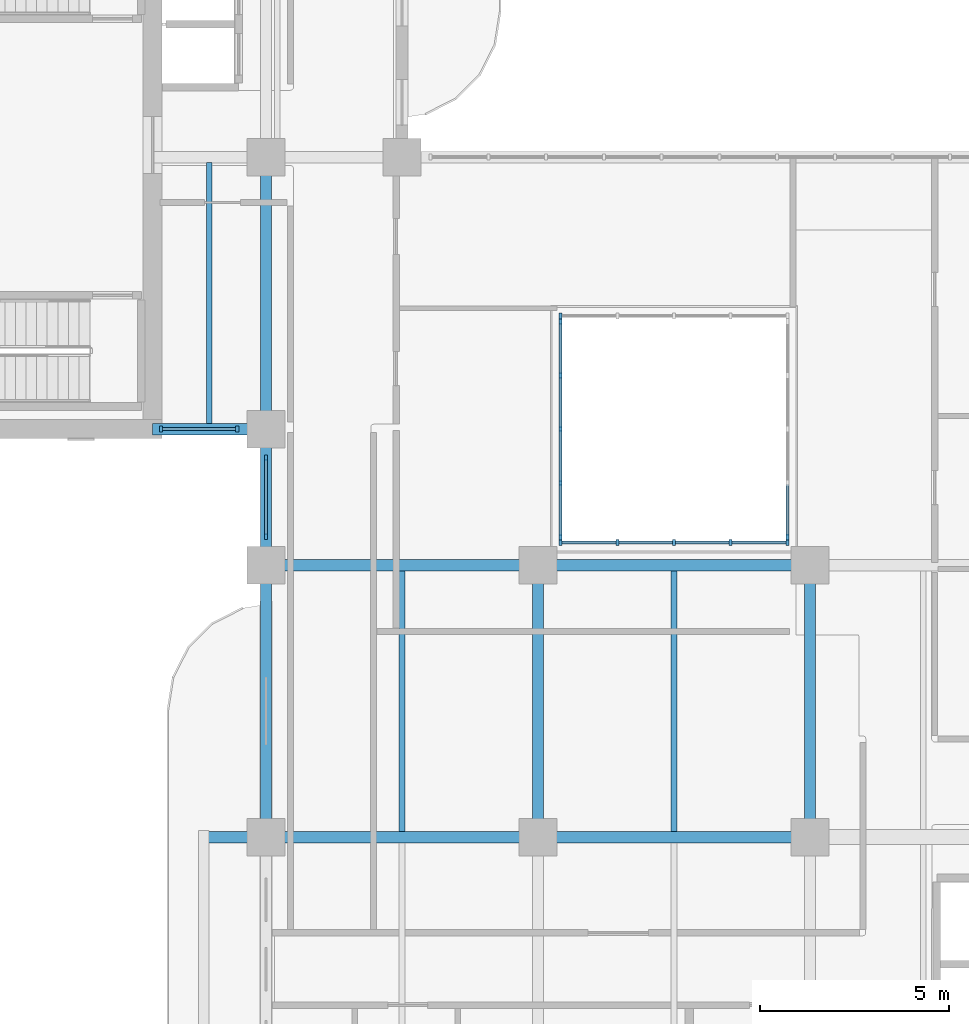
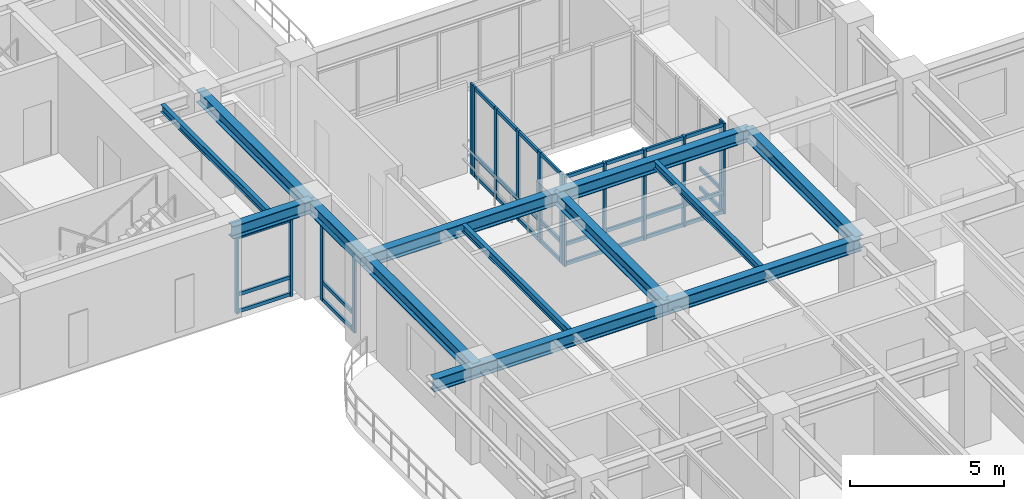
# One storey, part 2 of 20: 48 members, 13 beams, 6 elements without a shape of their own.
"""IFC4 building model written with IfcOpenShell, lengths in metres."""

from ifc_helpers import new_model, si_unit, derived_unit, direction, frame, origin, origin_2d, place, context, subcontext, project, spatial, rectangle, i_section, extrude, source, transform, mapped, material, layer, layer_set, material_profile, profile_set, type_object, type_shapes, element, aggregate, save


model = new_model("IFC4")

# Units and contexts
model_context = context("Model", 3, precision=1e-05, world=origin(), true_north=direction((0.0, 1.0)))
body_context = subcontext(model_context, "Body", "Model", "MODEL_VIEW")
ifc_project = project(units=[si_unit("LENGTHUNIT", "METRE"), si_unit("AREAUNIT", "SQUARE_METRE"), si_unit("VOLUMEUNIT", "CUBIC_METRE"), si_unit("PLANEANGLEUNIT", "RADIAN"), si_unit("MASSUNIT", "GRAM", prefix="KILO"), si_unit("THERMODYNAMICTEMPERATUREUNIT", "KELVIN"), si_unit("POWERUNIT", "WATT"), derived_unit("THERMALTRANSMITTANCEUNIT", [(si_unit("POWERUNIT", "WATT"), 1), (si_unit("AREAUNIT", "SQUARE_METRE"), -1), (si_unit("THERMODYNAMICTEMPERATUREUNIT", "KELVIN"), -1)])], contexts=[model_context])

# Site, building, storey
site_placement = place(None, origin())
site = spatial("IfcSite", under=ifc_project, at=site_placement, CompositionType="ELEMENT")
building_placement = place(site_placement, origin())
building = spatial("IfcBuilding", under=site, at=building_placement, Name="Zahravan Archway Hotel and Residences", CompositionType="ELEMENT")
storey_placement = place(building_placement, frame((0.0, 0.0, 154.14990234375)))
storey = spatial("IfcBuildingStorey", under=building, at=storey_placement, Name="L38", CompositionType="ELEMENT", Elevation=154.14990234375)

# Beams
ifc_material_1 = material(Name="Structural Steel S355JR", Category="steel")
ifc_material_profile_1 = material_profile(ifc_material_1, i_section(OverallWidth=0.300048828125, OverallDepth=0.5, WebThickness=0.014404296875, FlangeThickness=0.028076171875, FilletRadius=0.027099609375, at=origin_2d()), Name="HEB 500", Category="steel")
ifc_profile_set_1 = profile_set([ifc_material_profile_1], Name="Structural Steel S355JR")
beam_type_1 = type_object("IfcBeamType", Name="BM-PRI-HEB500", PredefinedType="BEAM", material=ifc_profile_set_1)
shared_shape_1 = source(origin(), body_context, "Body", "SweptSolid", [
    extrude(i_section(OverallWidth=0.300048828125, OverallDepth=0.5, WebThickness=0.014404296875, FlangeThickness=0.028076171875, FilletRadius=0.027099609375, at=origin_2d()), origin(), (0.0, 0.0, 1.0), 7.2001953125),
])
type_shapes(beam_type_1, [shared_shape_1])
for number, where, z_axis, x_axis, name in (
    (1, (14.39990234375, 21.60009765625, 3.35009765625), (1.0, 0.0, 0.0), (0.0, 1.0, 0.0), "L38 Primary Girder EW-11"),
    (2, (14.39990234375, 14.39990234375, 3.35009765625), (0.0, 1.0, 0.0), (-1.0, 0.0, 0.0), "L38 Primary Girder NS-30"),
    (3, (21.60009765625, 14.39990234375, 3.35009765625), (0.0, 1.0, 0.0), (-1.0, 0.0, 0.0), "L38 Primary Girder NS-37"),
    (4, (28.800048828125, 14.39990234375, 3.35009765625), (0.0, 1.0, 0.0), (-1.0, 0.0, 0.0), "L38 Primary Girder NS-40"),
):
    element("IfcBeam", number, at=place(storey_placement, frame(where, z_axis=z_axis, x_axis=x_axis)), inside=storey, type_object=beam_type_1, Name=name, PredefinedType="BEAM", context=body_context, shape_type="MappedRepresentation", body=[
        mapped(shared_shape_1, transform((0.0, 0.0, 0.0), scale=1.0)),
    ])
shared_shape_2 = source(origin(), body_context, "Body", "SweptSolid", [
    extrude(i_section(OverallWidth=0.300048828125, OverallDepth=0.5, WebThickness=0.014404296875, FlangeThickness=0.028076171875, FilletRadius=0.027099609375, at=origin_2d()), origin(), (0.0, 0.0, 1.0), 7.199951171875),
])
for number, where, z_axis, x_axis, name in (
    (5, (21.60009765625, 14.39990234375, 3.35009765625), (1.0, 0.0, 0.0), (0.0, 1.0, 0.0), "L38 Primary Girder EW-10"),
    (6, (21.60009765625, 21.60009765625, 3.35009765625), (1.0, 0.0, 0.0), (0.0, 1.0, 0.0), "L38 Primary Girder EW-12"),
    (7, (14.39990234375, 25.199951171875, 3.35009765625), (0.0, 1.0, 0.0), (-1.0, 0.0, 0.0), "L38 Primary Girder NS-32"),
):
    element("IfcBeam", number, at=place(storey_placement, frame(where, z_axis=z_axis, x_axis=x_axis)), inside=storey, type_object=beam_type_1, Name=name, PredefinedType="BEAM", context=body_context, shape_type="MappedRepresentation", body=[
        mapped(shared_shape_2, transform((0.0, 0.0, 0.0), scale=1.0)),
    ])
shared_shape_3 = source(origin(), body_context, "Body", "SweptSolid", [
    extrude(i_section(OverallWidth=0.300048828125, OverallDepth=0.5, WebThickness=0.014404296875, FlangeThickness=0.028076171875, FilletRadius=0.027099609375, at=origin_2d()), origin(), (0.0, 0.0, 1.0), 3.0),
])
beam_1_placement = place(storey_placement, frame((11.39990234375, 25.199951171875, 3.35009765625), z_axis=(1.0, 0.0, 0.0), x_axis=(0.0, 1.0, 0.0)))
element("IfcBeam", 8, at=beam_1_placement, inside=storey, type_object=beam_type_1, Name="L38 Primary Girder EW-16", PredefinedType="BEAM", context=body_context, shape_type="MappedRepresentation", body=[
    mapped(shared_shape_3, transform((0.0, 0.0, 0.0), scale=1.0)),
])
shared_shape_4 = source(origin(), body_context, "Body", "SweptSolid", [
    extrude(i_section(OverallWidth=0.300048828125, OverallDepth=0.5, WebThickness=0.014404296875, FlangeThickness=0.028076171875, FilletRadius=0.027099609375, at=origin_2d()), origin(), (0.0, 0.0, 1.0), 3.599853515625),
])
beam_2_placement = place(storey_placement, frame((14.39990234375, 21.60009765625, 3.35009765625), z_axis=(0.0, 1.0, 0.0), x_axis=(-1.0, 0.0, 0.0)))
element("IfcBeam", 9, at=beam_2_placement, inside=storey, type_object=beam_type_1, Name="L38 Primary Girder NS-31", PredefinedType="BEAM", context=body_context, shape_type="MappedRepresentation", body=[
    mapped(shared_shape_4, transform((0.0, 0.0, 0.0), scale=1.0)),
])
shared_shape_5 = source(origin(), body_context, "Body", "SweptSolid", [
    extrude(i_section(OverallWidth=0.300048828125, OverallDepth=0.5, WebThickness=0.014404296875, FlangeThickness=0.028076171875, FilletRadius=0.027099609375, at=origin_2d()), origin(), (0.0, 0.0, 1.0), 8.85009765625),
])
beam_3_placement = place(storey_placement, frame((12.75, 14.39990234375, 3.35009765625), z_axis=(1.0, 0.0, 0.0), x_axis=(0.0, 1.0, 0.0)))
element("IfcBeam", 10, at=beam_3_placement, inside=storey, type_object=beam_type_1, Name="L38 Primary Girder EW-09", PredefinedType="BEAM", context=body_context, shape_type="MappedRepresentation", body=[
    mapped(shared_shape_5, transform((0.0, 0.0, 0.0), scale=1.0)),
])
ifc_material_profile_2 = material_profile(ifc_material_1, i_section(OverallWidth=0.14990234375, OverallDepth=0.300048828125, WebThickness=0.007080078125, FlangeThickness=0.0107421875, FilletRadius=0.014892578125, at=origin_2d()), Name="IPE 300", Category="steel")
ifc_profile_set_2 = profile_set([ifc_material_profile_2], Name="Structural Steel S355JR")
beam_type_2 = type_object("IfcBeamType", Name="BM-JST-IPE300", PredefinedType="JOIST", material=ifc_profile_set_2)
shared_shape_6 = source(origin(), body_context, "Body", "SweptSolid", [
    extrude(i_section(OverallWidth=0.14990234375, OverallDepth=0.300048828125, WebThickness=0.007080078125, FlangeThickness=0.0107421875, FilletRadius=0.014892578125, at=origin_2d()), origin(), (0.0, 0.0, 1.0), 6.904052734375),
])
type_shapes(beam_type_2, [shared_shape_6])
beam_4_placement = place(storey_placement, frame((12.89990234375, 25.347900390625, 3.4501953125), z_axis=(0.0, 1.0, 0.0), x_axis=(-1.0, 0.0, 0.0)))
element("IfcBeam", 11, at=beam_4_placement, inside=storey, type_object=beam_type_2, Name="L38 Composite Floor Joist 10", PredefinedType="JOIST", context=body_context, shape_type="MappedRepresentation", body=[
    mapped(shared_shape_6, transform((0.0, 0.0, 0.0), scale=1.0)),
])
shared_shape_7 = source(origin(), body_context, "Body", "SweptSolid", [
    extrude(i_section(OverallWidth=0.14990234375, OverallDepth=0.300048828125, WebThickness=0.007080078125, FlangeThickness=0.0107421875, FilletRadius=0.014892578125, at=origin_2d()), origin(), (0.0, 0.0, 1.0), 6.90380859375),
])
for number, where, z_axis, x_axis, name in (
    (12, (18.0, 14.548095703125, 3.4501953125), (0.0, 1.0, 0.0), (-1.0, 0.0, 0.0), "L38 Composite Floor Joist 08"),
    (13, (25.199951171875, 14.548095703125, 3.4501953125), (0.0, 1.0, 0.0), (-1.0, 0.0, 0.0), "L38 Composite Floor Joist 09"),
):
    element("IfcBeam", number, at=place(storey_placement, frame(where, z_axis=z_axis, x_axis=x_axis)), inside=storey, type_object=beam_type_2, Name=name, PredefinedType="JOIST", context=body_context, shape_type="MappedRepresentation", body=[
        mapped(shared_shape_7, transform((0.0, 0.0, 0.0), scale=1.0)),
    ])

# Curtain wall, members
ifc_material_2 = material(Name="Bronze-Anodized Unitised Aluminium & Low-E Glass", Category="aluminium")
ifc_layer = layer(ifc_material_2, 0.179931640625, Name="Bronze-Anodized Unitised Aluminium & Low-E Glass", Category="aluminium")
ifc_layer_set = layer_set([ifc_layer], Name="Bronze-Anodized Unitised Aluminium & Low-E Glass")
curtain_wall_type = type_object("IfcCurtainWallType", Name="CW-ATR-GLAZ", PredefinedType="NOTDEFINED", material=ifc_layer_set)
curtain_wall_1_placement = place(storey_placement, origin())
curtain_wall_1 = element("IfcCurtainWall", 14, at=curtain_wall_1_placement, inside=storey, type_object=curtain_wall_type, Name="L38 Curtain Wall CW-L38-WB-SE-1", PredefinedType="NOTDEFINED")
ifc_material_3 = material(Name="Bronze-Anodized Extruded Aluminium", Category="aluminium")
ifc_material_profile_3 = material_profile(ifc_material_3, rectangle(XDim=0.080078125, YDim=0.139892578125, at=origin_2d()), Name="TRN 80x140", Category="aluminium")
ifc_profile_set_3 = profile_set([ifc_material_profile_3], Name="Bronze-Anodized Extruded Aluminium")
member_type_1 = type_object("IfcMemberType", Name="CWM-TRN-140", PredefinedType="USERDEFINED", material=ifc_profile_set_3)
shared_shape_8 = source(origin(), body_context, "Body", "SweptSolid", [
    extrude(rectangle(XDim=0.080078125, YDim=0.139892578125, at=origin_2d()), origin(), (0.0, 0.0, 1.0), 1.940185546875),
])
member_1_placement = place(storey_placement, frame((11.659912109375, 25.199951171875, 0.070068359375), z_axis=(1.0, 0.0, 0.0), x_axis=(0.0, 1.0, 0.0)))
member_1 = element("IfcMember", 15, at=member_1_placement, type_object=member_type_1, Name="CW-L38-WB-SE-1 Transom 0-1", ObjectType="TRANSOM", PredefinedType="USERDEFINED", context=body_context, shape_type="MappedRepresentation", body=[
    mapped(shared_shape_8, transform((0.0, 0.0, 0.0), scale=1.0)),
])
member_2_placement = place(storey_placement, frame((11.659912109375, 25.199951171875, 0.740478515625), z_axis=(1.0, 0.0, 0.0), x_axis=(0.0, 1.0, 0.0)))
member_2 = element("IfcMember", 16, at=member_2_placement, type_object=member_type_1, Name="CW-L38-WB-SE-1 Transom 0-2", ObjectType="TRANSOM", PredefinedType="USERDEFINED", context=body_context, shape_type="MappedRepresentation", body=[
    mapped(shared_shape_8, transform((0.0, 0.0, 0.0), scale=1.0)),
])
member_3_placement = place(storey_placement, frame((11.659912109375, 25.199951171875, 3.01513671875), z_axis=(1.0, 0.0, 0.0), x_axis=(0.0, 1.0, 0.0)))
member_3 = element("IfcMember", 17, at=member_3_placement, type_object=member_type_1, Name="CW-L38-WB-SE-1 Transom 0-3", ObjectType="TRANSOM", PredefinedType="USERDEFINED", context=body_context, shape_type="MappedRepresentation", body=[
    mapped(shared_shape_8, transform((0.0, 0.0, 0.0), scale=1.0)),
])

curtain_wall_2_placement = place(storey_placement, origin())
curtain_wall_2 = element("IfcCurtainWall", 18, at=curtain_wall_2_placement, inside=storey, type_object=curtain_wall_type, Name="L38 Curtain Wall CW-L38-WA-WLU-1", PredefinedType="NOTDEFINED")
shared_shape_9 = source(origin(), body_context, "Body", "SweptSolid", [
    extrude(rectangle(XDim=0.080078125, YDim=0.139892578125, at=origin_2d()), origin(), (0.0, 0.0, 1.0), 2.0),
])
member_4_placement = place(storey_placement, frame((14.39990234375, 22.39990234375, 0.070068359375), z_axis=(0.0, 1.0, 0.0), x_axis=(-1.0, 0.0, 0.0)))
member_4 = element("IfcMember", 19, at=member_4_placement, type_object=member_type_1, Name="CW-L38-WA-WLU-1 Transom 0-1", ObjectType="TRANSOM", PredefinedType="USERDEFINED", context=body_context, shape_type="MappedRepresentation", body=[
    mapped(shared_shape_9, transform((0.0, 0.0, 0.0), scale=1.0)),
])
member_5_placement = place(storey_placement, frame((14.39990234375, 22.39990234375, 0.740478515625), z_axis=(0.0, 1.0, 0.0), x_axis=(-1.0, 0.0, 0.0)))
member_5 = element("IfcMember", 20, at=member_5_placement, type_object=member_type_1, Name="CW-L38-WA-WLU-1 Transom 0-2", ObjectType="TRANSOM", PredefinedType="USERDEFINED", context=body_context, shape_type="MappedRepresentation", body=[
    mapped(shared_shape_9, transform((0.0, 0.0, 0.0), scale=1.0)),
])
member_6_placement = place(storey_placement, frame((14.39990234375, 22.39990234375, 3.01513671875), z_axis=(0.0, 1.0, 0.0), x_axis=(-1.0, 0.0, 0.0)))
member_6 = element("IfcMember", 21, at=member_6_placement, type_object=member_type_1, Name="CW-L38-WA-WLU-1 Transom 0-3", ObjectType="TRANSOM", PredefinedType="USERDEFINED", context=body_context, shape_type="MappedRepresentation", body=[
    mapped(shared_shape_9, transform((0.0, 0.0, 0.0), scale=1.0)),
])

curtain_wall_3_placement = place(storey_placement, origin())
curtain_wall_3 = element("IfcCurtainWall", 22, at=curtain_wall_3_placement, inside=storey, type_object=curtain_wall_type, Name="L38 Curtain Wall CW-ATR-L38-S-1", PredefinedType="NOTDEFINED")
shared_shape_10 = source(origin(), body_context, "Body", "SweptSolid", [
    extrude(rectangle(XDim=0.080078125, YDim=0.139892578125, at=origin_2d()), origin(), (0.0, 0.0, 1.0), 1.419921875),
])
member_7_placement = place(storey_placement, frame((22.239990234375, 22.199951171875, 0.070068359375), z_axis=(1.0, 0.0, 0.0), x_axis=(0.0, 1.0, 0.0)))
member_7 = element("IfcMember", 23, at=member_7_placement, type_object=member_type_1, Name="CW-ATR-L38-S-1 Transom 0-1", ObjectType="TRANSOM", PredefinedType="USERDEFINED", context=body_context, shape_type="MappedRepresentation", body=[
    mapped(shared_shape_10, transform((0.0, 0.0, 0.0), scale=1.0)),
])
member_8_placement = place(storey_placement, frame((22.239990234375, 22.199951171875, 0.85009765625), z_axis=(1.0, 0.0, 0.0), x_axis=(0.0, 1.0, 0.0)))
member_8 = element("IfcMember", 24, at=member_8_placement, type_object=member_type_1, Name="CW-ATR-L38-S-1 Transom 0-2", ObjectType="TRANSOM", PredefinedType="USERDEFINED", context=body_context, shape_type="MappedRepresentation", body=[
    mapped(shared_shape_10, transform((0.0, 0.0, 0.0), scale=1.0)),
])
member_9_placement = place(storey_placement, frame((22.239990234375, 22.199951171875, 3.530029296875), z_axis=(1.0, 0.0, 0.0), x_axis=(0.0, 1.0, 0.0)))
member_9 = element("IfcMember", 25, at=member_9_placement, type_object=member_type_1, Name="CW-ATR-L38-S-1 Transom 0-3", ObjectType="TRANSOM", PredefinedType="USERDEFINED", context=body_context, shape_type="MappedRepresentation", body=[
    mapped(shared_shape_10, transform((0.0, 0.0, 0.0), scale=1.0)),
])
member_10_placement = place(storey_placement, frame((23.739990234375, 22.199951171875, 0.070068359375), z_axis=(1.0, 0.0, 0.0), x_axis=(0.0, 1.0, 0.0)))
member_10 = element("IfcMember", 26, at=member_10_placement, type_object=member_type_1, Name="CW-ATR-L38-S-1 Transom 1-1", ObjectType="TRANSOM", PredefinedType="USERDEFINED", context=body_context, shape_type="MappedRepresentation", body=[
    mapped(shared_shape_10, transform((0.0, 0.0, 0.0), scale=1.0)),
])
member_11_placement = place(storey_placement, frame((23.739990234375, 22.199951171875, 0.85009765625), z_axis=(1.0, 0.0, 0.0), x_axis=(0.0, 1.0, 0.0)))
member_11 = element("IfcMember", 27, at=member_11_placement, type_object=member_type_1, Name="CW-ATR-L38-S-1 Transom 1-2", ObjectType="TRANSOM", PredefinedType="USERDEFINED", context=body_context, shape_type="MappedRepresentation", body=[
    mapped(shared_shape_10, transform((0.0, 0.0, 0.0), scale=1.0)),
])
member_12_placement = place(storey_placement, frame((23.739990234375, 22.199951171875, 3.530029296875), z_axis=(1.0, 0.0, 0.0), x_axis=(0.0, 1.0, 0.0)))
member_12 = element("IfcMember", 28, at=member_12_placement, type_object=member_type_1, Name="CW-ATR-L38-S-1 Transom 1-3", ObjectType="TRANSOM", PredefinedType="USERDEFINED", context=body_context, shape_type="MappedRepresentation", body=[
    mapped(shared_shape_10, transform((0.0, 0.0, 0.0), scale=1.0)),
])
member_13_placement = place(storey_placement, frame((25.239990234375, 22.199951171875, 0.070068359375), z_axis=(1.0, 0.0, 0.0), x_axis=(0.0, 1.0, 0.0)))
member_13 = element("IfcMember", 29, at=member_13_placement, type_object=member_type_1, Name="CW-ATR-L38-S-1 Transom 2-1", ObjectType="TRANSOM", PredefinedType="USERDEFINED", context=body_context, shape_type="MappedRepresentation", body=[
    mapped(shared_shape_10, transform((0.0, 0.0, 0.0), scale=1.0)),
])
member_14_placement = place(storey_placement, frame((25.239990234375, 22.199951171875, 0.85009765625), z_axis=(1.0, 0.0, 0.0), x_axis=(0.0, 1.0, 0.0)))
member_14 = element("IfcMember", 30, at=member_14_placement, type_object=member_type_1, Name="CW-ATR-L38-S-1 Transom 2-2", ObjectType="TRANSOM", PredefinedType="USERDEFINED", context=body_context, shape_type="MappedRepresentation", body=[
    mapped(shared_shape_10, transform((0.0, 0.0, 0.0), scale=1.0)),
])
member_15_placement = place(storey_placement, frame((25.239990234375, 22.199951171875, 3.530029296875), z_axis=(1.0, 0.0, 0.0), x_axis=(0.0, 1.0, 0.0)))
member_15 = element("IfcMember", 31, at=member_15_placement, type_object=member_type_1, Name="CW-ATR-L38-S-1 Transom 2-3", ObjectType="TRANSOM", PredefinedType="USERDEFINED", context=body_context, shape_type="MappedRepresentation", body=[
    mapped(shared_shape_10, transform((0.0, 0.0, 0.0), scale=1.0)),
])
member_16_placement = place(storey_placement, frame((26.739990234375, 22.199951171875, 0.070068359375), z_axis=(1.0, 0.0, 0.0), x_axis=(0.0, 1.0, 0.0)))
member_16 = element("IfcMember", 32, at=member_16_placement, type_object=member_type_1, Name="CW-ATR-L38-S-1 Transom 3-1", ObjectType="TRANSOM", PredefinedType="USERDEFINED", context=body_context, shape_type="MappedRepresentation", body=[
    mapped(shared_shape_10, transform((0.0, 0.0, 0.0), scale=1.0)),
])
member_17_placement = place(storey_placement, frame((26.739990234375, 22.199951171875, 0.85009765625), z_axis=(1.0, 0.0, 0.0), x_axis=(0.0, 1.0, 0.0)))
member_17 = element("IfcMember", 33, at=member_17_placement, type_object=member_type_1, Name="CW-ATR-L38-S-1 Transom 3-2", ObjectType="TRANSOM", PredefinedType="USERDEFINED", context=body_context, shape_type="MappedRepresentation", body=[
    mapped(shared_shape_10, transform((0.0, 0.0, 0.0), scale=1.0)),
])
member_18_placement = place(storey_placement, frame((26.739990234375, 22.199951171875, 3.530029296875), z_axis=(1.0, 0.0, 0.0), x_axis=(0.0, 1.0, 0.0)))
member_18 = element("IfcMember", 34, at=member_18_placement, type_object=member_type_1, Name="CW-ATR-L38-S-1 Transom 3-3", ObjectType="TRANSOM", PredefinedType="USERDEFINED", context=body_context, shape_type="MappedRepresentation", body=[
    mapped(shared_shape_10, transform((0.0, 0.0, 0.0), scale=1.0)),
])

curtain_wall_4_placement = place(storey_placement, origin())
curtain_wall_4 = element("IfcCurtainWall", 35, at=curtain_wall_4_placement, inside=storey, type_object=curtain_wall_type, Name="L38 Curtain Wall CW-ATR-L38-W-1", PredefinedType="NOTDEFINED")
shared_shape_11 = source(origin(), body_context, "Body", "SweptSolid", [
    extrude(rectangle(XDim=0.080078125, YDim=0.139892578125, at=origin_2d()), origin(), (0.0, 0.0, 1.0), 1.34521484375),
])
member_19_placement = place(storey_placement, frame((22.199951171875, 22.389892578125, 0.070068359375), z_axis=(0.0, 1.0, 0.0), x_axis=(-1.0, 0.0, 0.0)))
member_19 = element("IfcMember", 36, at=member_19_placement, type_object=member_type_1, Name="CW-ATR-L38-W-1 Transom 0-1", ObjectType="TRANSOM", PredefinedType="USERDEFINED", context=body_context, shape_type="MappedRepresentation", body=[
    mapped(shared_shape_11, transform((0.0, 0.0, 0.0), scale=1.0)),
])
member_20_placement = place(storey_placement, frame((22.199951171875, 22.389892578125, 0.85009765625), z_axis=(0.0, 1.0, 0.0), x_axis=(-1.0, 0.0, 0.0)))
member_20 = element("IfcMember", 37, at=member_20_placement, type_object=member_type_1, Name="CW-ATR-L38-W-1 Transom 0-2", ObjectType="TRANSOM", PredefinedType="USERDEFINED", context=body_context, shape_type="MappedRepresentation", body=[
    mapped(shared_shape_11, transform((0.0, 0.0, 0.0), scale=1.0)),
])
member_21_placement = place(storey_placement, frame((22.199951171875, 22.389892578125, 3.530029296875), z_axis=(0.0, 1.0, 0.0), x_axis=(-1.0, 0.0, 0.0)))
member_21 = element("IfcMember", 38, at=member_21_placement, type_object=member_type_1, Name="CW-ATR-L38-W-1 Transom 0-3", ObjectType="TRANSOM", PredefinedType="USERDEFINED", context=body_context, shape_type="MappedRepresentation", body=[
    mapped(shared_shape_11, transform((0.0, 0.0, 0.0), scale=1.0)),
])

curtain_wall_5_placement = place(storey_placement, origin())
curtain_wall_5 = element("IfcCurtainWall", 39, at=curtain_wall_5_placement, inside=storey, type_object=curtain_wall_type, Name="L38 Curtain Wall CW-ATR-L38-E-1", PredefinedType="NOTDEFINED")
member_22_placement = place(storey_placement, frame((28.199951171875, 22.389892578125, 0.070068359375), z_axis=(0.0, 1.0, 0.0), x_axis=(-1.0, 0.0, 0.0)))
member_22 = element("IfcMember", 40, at=member_22_placement, type_object=member_type_1, Name="CW-ATR-L38-E-1 Transom 0-1", ObjectType="TRANSOM", PredefinedType="USERDEFINED", context=body_context, shape_type="MappedRepresentation", body=[
    mapped(shared_shape_11, transform((0.0, 0.0, 0.0), scale=1.0)),
])
member_23_placement = place(storey_placement, frame((28.199951171875, 22.389892578125, 0.85009765625), z_axis=(0.0, 1.0, 0.0), x_axis=(-1.0, 0.0, 0.0)))
member_23 = element("IfcMember", 41, at=member_23_placement, type_object=member_type_1, Name="CW-ATR-L38-E-1 Transom 0-2", ObjectType="TRANSOM", PredefinedType="USERDEFINED", context=body_context, shape_type="MappedRepresentation", body=[
    mapped(shared_shape_11, transform((0.0, 0.0, 0.0), scale=1.0)),
])

# Member
shared_shape_12 = source(origin(), body_context, "Body", "SweptSolid", [
    extrude(rectangle(XDim=0.080078125, YDim=0.139892578125, at=origin_2d()), origin(), (0.0, 0.0, 1.0), 1.344970703125),
])
member_24_placement = place(storey_placement, frame((22.199951171875, 23.81494140625, 0.070068359375), z_axis=(0.0, 1.0, 0.0), x_axis=(-1.0, 0.0, 0.0)))
member_24 = element("IfcMember", 42, at=member_24_placement, type_object=member_type_1, Name="CW-ATR-L38-W-1 Transom 1-1", ObjectType="TRANSOM", PredefinedType="USERDEFINED", context=body_context, shape_type="MappedRepresentation", body=[
    mapped(shared_shape_12, transform((0.0, 0.0, 0.0), scale=1.0)),
])

member_25_placement = place(storey_placement, frame((22.199951171875, 23.81494140625, 0.85009765625), z_axis=(0.0, 1.0, 0.0), x_axis=(-1.0, 0.0, 0.0)))
member_25 = element("IfcMember", 43, at=member_25_placement, type_object=member_type_1, Name="CW-ATR-L38-W-1 Transom 1-2", ObjectType="TRANSOM", PredefinedType="USERDEFINED", context=body_context, shape_type="MappedRepresentation", body=[
    mapped(shared_shape_12, transform((0.0, 0.0, 0.0), scale=1.0)),
])

member_26_placement = place(storey_placement, frame((22.199951171875, 23.81494140625, 3.530029296875), z_axis=(0.0, 1.0, 0.0), x_axis=(-1.0, 0.0, 0.0)))
member_26 = element("IfcMember", 44, at=member_26_placement, type_object=member_type_1, Name="CW-ATR-L38-W-1 Transom 1-3", ObjectType="TRANSOM", PredefinedType="USERDEFINED", context=body_context, shape_type="MappedRepresentation", body=[
    mapped(shared_shape_12, transform((0.0, 0.0, 0.0), scale=1.0)),
])

member_27_placement = place(storey_placement, frame((22.199951171875, 25.239990234375, 0.070068359375), z_axis=(0.0, 1.0, 0.0), x_axis=(-1.0, 0.0, 0.0)))
member_27 = element("IfcMember", 45, at=member_27_placement, type_object=member_type_1, Name="CW-ATR-L38-W-1 Transom 2-1", ObjectType="TRANSOM", PredefinedType="USERDEFINED", context=body_context, shape_type="MappedRepresentation", body=[
    mapped(shared_shape_12, transform((0.0, 0.0, 0.0), scale=1.0)),
])

member_28_placement = place(storey_placement, frame((22.199951171875, 25.239990234375, 0.85009765625), z_axis=(0.0, 1.0, 0.0), x_axis=(-1.0, 0.0, 0.0)))
member_28 = element("IfcMember", 46, at=member_28_placement, type_object=member_type_1, Name="CW-ATR-L38-W-1 Transom 2-2", ObjectType="TRANSOM", PredefinedType="USERDEFINED", context=body_context, shape_type="MappedRepresentation", body=[
    mapped(shared_shape_12, transform((0.0, 0.0, 0.0), scale=1.0)),
])

member_29_placement = place(storey_placement, frame((22.199951171875, 25.239990234375, 3.530029296875), z_axis=(0.0, 1.0, 0.0), x_axis=(-1.0, 0.0, 0.0)))
member_29 = element("IfcMember", 47, at=member_29_placement, type_object=member_type_1, Name="CW-ATR-L38-W-1 Transom 2-3", ObjectType="TRANSOM", PredefinedType="USERDEFINED", context=body_context, shape_type="MappedRepresentation", body=[
    mapped(shared_shape_12, transform((0.0, 0.0, 0.0), scale=1.0)),
])

member_30_placement = place(storey_placement, frame((22.199951171875, 26.6650390625, 0.070068359375), z_axis=(0.0, 1.0, 0.0), x_axis=(-1.0, 0.0, 0.0)))
member_30 = element("IfcMember", 48, at=member_30_placement, type_object=member_type_1, Name="CW-ATR-L38-W-1 Transom 3-1", ObjectType="TRANSOM", PredefinedType="USERDEFINED", context=body_context, shape_type="MappedRepresentation", body=[
    mapped(shared_shape_12, transform((0.0, 0.0, 0.0), scale=1.0)),
])

member_31_placement = place(storey_placement, frame((22.199951171875, 26.6650390625, 0.85009765625), z_axis=(0.0, 1.0, 0.0), x_axis=(-1.0, 0.0, 0.0)))
member_31 = element("IfcMember", 49, at=member_31_placement, type_object=member_type_1, Name="CW-ATR-L38-W-1 Transom 3-2", ObjectType="TRANSOM", PredefinedType="USERDEFINED", context=body_context, shape_type="MappedRepresentation", body=[
    mapped(shared_shape_12, transform((0.0, 0.0, 0.0), scale=1.0)),
])

member_32_placement = place(storey_placement, frame((22.199951171875, 26.6650390625, 3.530029296875), z_axis=(0.0, 1.0, 0.0), x_axis=(-1.0, 0.0, 0.0)))
member_32 = element("IfcMember", 50, at=member_32_placement, type_object=member_type_1, Name="CW-ATR-L38-W-1 Transom 3-3", ObjectType="TRANSOM", PredefinedType="USERDEFINED", context=body_context, shape_type="MappedRepresentation", body=[
    mapped(shared_shape_12, transform((0.0, 0.0, 0.0), scale=1.0)),
])

ifc_material_profile_4 = material_profile(ifc_material_3, rectangle(XDim=0.080078125, YDim=0.159912109375, at=origin_2d()), Name="MUL 80x160", Category="aluminium")
ifc_profile_set_4 = profile_set([ifc_material_profile_4], Name="Bronze-Anodized Extruded Aluminium")
member_type_2 = type_object("IfcMemberType", Name="CWM-MUL-160", PredefinedType="MULLION", material=ifc_profile_set_4)
shared_shape_13 = source(origin(), body_context, "Body", "SweptSolid", [
    extrude(rectangle(XDim=0.080078125, YDim=0.159912109375, at=origin_2d()), origin(), (0.0, 0.0, 1.0), 3.085205078125),
])
member_33_placement = place(storey_placement, frame((14.39990234375, 22.360107421875, 0.0), z_axis=(0.0, 0.0, 1.0), x_axis=(1.0, 0.0, 0.0)))
member_33 = element("IfcMember", 51, at=member_33_placement, type_object=member_type_2, Name="CW-L38-WA-WLU-1 Mullion 0", PredefinedType="MULLION", context=body_context, shape_type="MappedRepresentation", body=[
    mapped(shared_shape_13, transform((0.0, 0.0, 0.0), scale=1.0)),
])

member_34_placement = place(storey_placement, frame((14.39990234375, 24.43994140625, 0.0), z_axis=(0.0, 0.0, 1.0), x_axis=(1.0, 0.0, 0.0)))
member_34 = element("IfcMember", 52, at=member_34_placement, type_object=member_type_2, Name="CW-L38-WA-WLU-1 Mullion 1", PredefinedType="MULLION", context=body_context, shape_type="MappedRepresentation", body=[
    mapped(shared_shape_13, transform((0.0, 0.0, 0.0), scale=1.0)),
])

aggregate(curtain_wall_2, [member_33, member_34, member_4, member_5, member_6])

member_35_placement = place(storey_placement, frame((11.6201171875, 25.199951171875, 0.0), z_axis=(0.0, 0.0, 1.0), x_axis=(1.0, 0.0, 0.0)))
member_35 = element("IfcMember", 53, at=member_35_placement, type_object=member_type_2, Name="CW-L38-WB-SE-1 Mullion 0", PredefinedType="MULLION", context=body_context, shape_type="MappedRepresentation", body=[
    mapped(shared_shape_13, transform((0.0, 0.0, 0.0), scale=1.0)),
])

member_36_placement = place(storey_placement, frame((13.639892578125, 25.199951171875, 0.0), z_axis=(0.0, 0.0, 1.0), x_axis=(1.0, 0.0, 0.0)))
member_36 = element("IfcMember", 54, at=member_36_placement, type_object=member_type_2, Name="CW-L38-WB-SE-1 Mullion 1", PredefinedType="MULLION", context=body_context, shape_type="MappedRepresentation", body=[
    mapped(shared_shape_13, transform((0.0, 0.0, 0.0), scale=1.0)),
])

aggregate(curtain_wall_1, [member_35, member_36, member_1, member_2, member_3])

shared_shape_14 = source(origin(), body_context, "Body", "SweptSolid", [
    extrude(rectangle(XDim=0.080078125, YDim=0.159912109375, at=origin_2d()), origin(), (0.0, 0.0, 1.0), 3.60009765625),
])
member_37_placement = place(storey_placement, frame((22.199951171875, 22.199951171875, 0.0), z_axis=(0.0, 0.0, 1.0), x_axis=(1.0, 0.0, 0.0)))
member_37 = element("IfcMember", 55, at=member_37_placement, type_object=member_type_2, Name="CW-ATR-L38-S-1 Mullion 0", PredefinedType="MULLION", context=body_context, shape_type="MappedRepresentation", body=[
    mapped(shared_shape_14, transform((0.0, 0.0, 0.0), scale=1.0)),
])

member_38_placement = place(storey_placement, frame((23.699951171875, 22.199951171875, 0.0), z_axis=(0.0, 0.0, 1.0), x_axis=(1.0, 0.0, 0.0)))
member_38 = element("IfcMember", 56, at=member_38_placement, type_object=member_type_2, Name="CW-ATR-L38-S-1 Mullion 1", PredefinedType="MULLION", context=body_context, shape_type="MappedRepresentation", body=[
    mapped(shared_shape_14, transform((0.0, 0.0, 0.0), scale=1.0)),
])

member_39_placement = place(storey_placement, frame((25.199951171875, 22.199951171875, 0.0), z_axis=(0.0, 0.0, 1.0), x_axis=(1.0, 0.0, 0.0)))
member_39 = element("IfcMember", 57, at=member_39_placement, type_object=member_type_2, Name="CW-ATR-L38-S-1 Mullion 2", PredefinedType="MULLION", context=body_context, shape_type="MappedRepresentation", body=[
    mapped(shared_shape_14, transform((0.0, 0.0, 0.0), scale=1.0)),
])

member_40_placement = place(storey_placement, frame((26.699951171875, 22.199951171875, 0.0), z_axis=(0.0, 0.0, 1.0), x_axis=(1.0, 0.0, 0.0)))
member_40 = element("IfcMember", 58, at=member_40_placement, type_object=member_type_2, Name="CW-ATR-L38-S-1 Mullion 3", PredefinedType="MULLION", context=body_context, shape_type="MappedRepresentation", body=[
    mapped(shared_shape_14, transform((0.0, 0.0, 0.0), scale=1.0)),
])

member_41_placement = place(storey_placement, frame((28.199951171875, 22.199951171875, 0.0), z_axis=(0.0, 0.0, 1.0), x_axis=(1.0, 0.0, 0.0)))
member_41 = element("IfcMember", 59, at=member_41_placement, type_object=member_type_2, Name="CW-ATR-L38-S-1 Mullion 4", PredefinedType="MULLION", context=body_context, shape_type="MappedRepresentation", body=[
    mapped(shared_shape_14, transform((0.0, 0.0, 0.0), scale=1.0)),
])

aggregate(curtain_wall_3, [member_37, member_38, member_39, member_40, member_41, member_7, member_8, member_9, member_10, member_11, member_12, member_13, member_14, member_15, member_16, member_17, member_18])

# Curtain wall, member
curtain_wall_6_placement = place(storey_placement, origin())
curtain_wall_6 = element("IfcCurtainWall", 60, at=curtain_wall_6_placement, inside=storey, type_object=curtain_wall_type, Name="L38 Curtain Wall CW-ATR-L38-N-1", PredefinedType="NOTDEFINED")
member_42_placement = place(storey_placement, frame((22.199951171875, 28.199951171875, 0.0), z_axis=(0.0, 0.0, 1.0), x_axis=(1.0, 0.0, 0.0)))
member_42 = element("IfcMember", 61, at=member_42_placement, type_object=member_type_2, Name="CW-ATR-L38-N-1 Mullion 0", PredefinedType="MULLION", context=body_context, shape_type="MappedRepresentation", body=[
    mapped(shared_shape_14, transform((0.0, 0.0, 0.0), scale=1.0)),
])
aggregate(curtain_wall_6, [member_42])

# Member
member_43_placement = place(storey_placement, frame((22.199951171875, 22.35009765625, 0.0), z_axis=(0.0, 0.0, 1.0), x_axis=(1.0, 0.0, 0.0)))
member_43 = element("IfcMember", 62, at=member_43_placement, type_object=member_type_2, Name="CW-ATR-L38-W-1 Mullion 0", PredefinedType="MULLION", context=body_context, shape_type="MappedRepresentation", body=[
    mapped(shared_shape_14, transform((0.0, 0.0, 0.0), scale=1.0)),
])

member_44_placement = place(storey_placement, frame((22.199951171875, 23.77490234375, 0.0), z_axis=(0.0, 0.0, 1.0), x_axis=(1.0, 0.0, 0.0)))
member_44 = element("IfcMember", 63, at=member_44_placement, type_object=member_type_2, Name="CW-ATR-L38-W-1 Mullion 1", PredefinedType="MULLION", context=body_context, shape_type="MappedRepresentation", body=[
    mapped(shared_shape_14, transform((0.0, 0.0, 0.0), scale=1.0)),
])

member_45_placement = place(storey_placement, frame((22.199951171875, 25.199951171875, 0.0), z_axis=(0.0, 0.0, 1.0), x_axis=(1.0, 0.0, 0.0)))
member_45 = element("IfcMember", 64, at=member_45_placement, type_object=member_type_2, Name="CW-ATR-L38-W-1 Mullion 2", PredefinedType="MULLION", context=body_context, shape_type="MappedRepresentation", body=[
    mapped(shared_shape_14, transform((0.0, 0.0, 0.0), scale=1.0)),
])

member_46_placement = place(storey_placement, frame((22.199951171875, 26.625, 0.0), z_axis=(0.0, 0.0, 1.0), x_axis=(1.0, 0.0, 0.0)))
member_46 = element("IfcMember", 65, at=member_46_placement, type_object=member_type_2, Name="CW-ATR-L38-W-1 Mullion 3", PredefinedType="MULLION", context=body_context, shape_type="MappedRepresentation", body=[
    mapped(shared_shape_14, transform((0.0, 0.0, 0.0), scale=1.0)),
])

member_47_placement = place(storey_placement, frame((22.199951171875, 28.050048828125, 0.0), z_axis=(0.0, 0.0, 1.0), x_axis=(1.0, 0.0, 0.0)))
member_47 = element("IfcMember", 66, at=member_47_placement, type_object=member_type_2, Name="CW-ATR-L38-W-1 Mullion 4", PredefinedType="MULLION", context=body_context, shape_type="MappedRepresentation", body=[
    mapped(shared_shape_14, transform((0.0, 0.0, 0.0), scale=1.0)),
])

aggregate(curtain_wall_4, [member_43, member_44, member_45, member_46, member_47, member_19, member_20, member_21, member_24, member_25, member_26, member_27, member_28, member_29, member_30, member_31, member_32])

member_48_placement = place(storey_placement, frame((28.199951171875, 22.35009765625, 0.0), z_axis=(0.0, 0.0, 1.0), x_axis=(1.0, 0.0, 0.0)))
member_48 = element("IfcMember", 67, at=member_48_placement, type_object=member_type_2, Name="CW-ATR-L38-E-1 Mullion 0", PredefinedType="MULLION", context=body_context, shape_type="MappedRepresentation", body=[
    mapped(shared_shape_14, transform((0.0, 0.0, 0.0), scale=1.0)),
])

aggregate(curtain_wall_5, [member_48, member_22, member_23])

save(model, "model.ifc")
